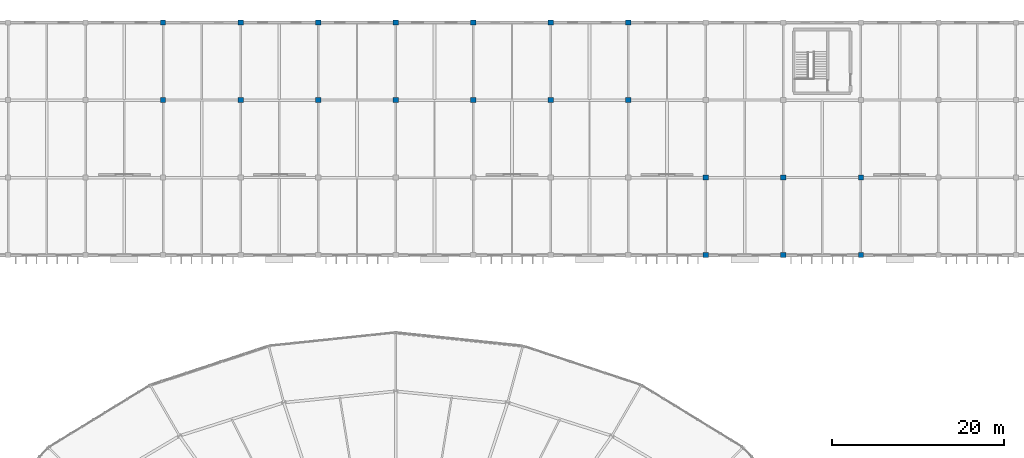
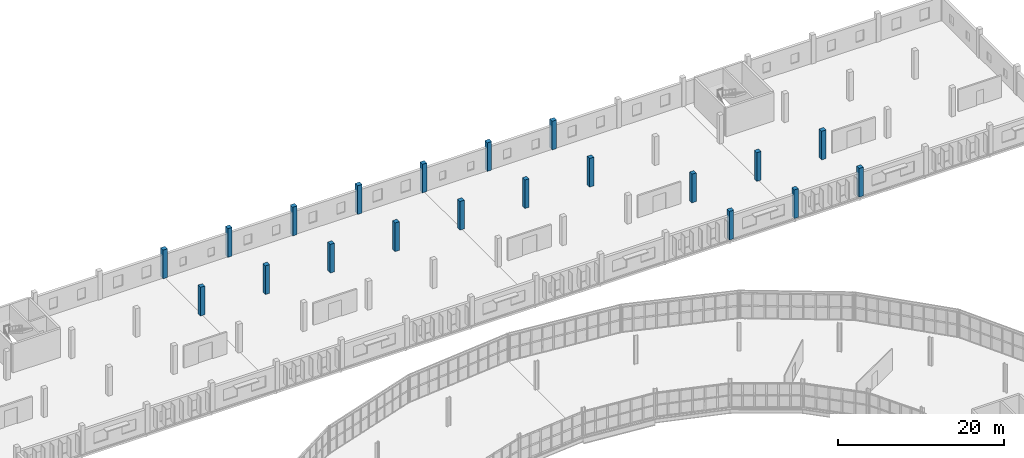
# One storey, part 32 of 161: 20 columns.
"""IFC4 building model written with IfcOpenShell, lengths in metres."""

from ifc_helpers import new_model, si_unit, direction, frame, origin, origin_2d, place, context, subcontext, project, spatial, rectangle, extrude, material, material_profile, profile_set, type_object, element, save


model = new_model("IFC4")

# Units and contexts
model_context = context("Model", 3, precision=1e-05, world=origin(), true_north=direction((0.0, 1.0)))
body_context = subcontext(model_context, "Body", "Model", "MODEL_VIEW")
ifc_project = project(units=[si_unit("LENGTHUNIT", "METRE"), si_unit("AREAUNIT", "SQUARE_METRE"), si_unit("VOLUMEUNIT", "CUBIC_METRE"), si_unit("PLANEANGLEUNIT", "RADIAN"), si_unit("MASSUNIT", "GRAM", prefix="KILO")], contexts=[model_context])

# Site, building, storey
site_placement = place(None, origin())
site = spatial("IfcSite", under=ifc_project, at=site_placement, CompositionType="ELEMENT")
building_placement = place(site_placement, origin())
building = spatial("IfcBuilding", under=site, at=building_placement, Name="Kildeholm Park Wholesale Market", CompositionType="ELEMENT")
storey_placement = place(building_placement, frame((0.0, 0.0, 5.39990234375)))
storey = spatial("IfcBuildingStorey", under=building, at=storey_placement, Name="L01", CompositionType="ELEMENT", Elevation=5.39990234375)

# Columns
ifc_material = material(Name="Concrete C40/50", Category="concrete")
ifc_material_profile = material_profile(ifc_material, rectangle(XDim=0.60009765625, YDim=0.60009765625, at=origin_2d()), Name="RC 600x600")
ifc_profile_set = profile_set([ifc_material_profile], Name="Concrete C40/50")
column_type = type_object("IfcColumnType", Name="Column C-R02 RC 600x600", PredefinedType="COLUMN", material=ifc_profile_set)
for number, where, z_axis, x_axis, name in (
    (1, (72.0, 162.0, 0.0), (0.0, 0.0, 1.0), (1.0, 0.0, 0.0), "Column V4-072-162 L01 COL-0503"),
    (2, (72.0, 171.0, 0.0), (0.0, 0.0, 1.0), (1.0, 0.0, 0.0), "Column V4-072-171 L01 COL-0506"),
    (3, (81.0, 162.0, 0.0), (0.0, 0.0, 1.0), (1.0, 0.0, 0.0), "Column V4-081-162 L01 COL-0514"),
    (4, (81.0, 171.0, 0.0), (0.0, 0.0, 1.0), (1.0, 0.0, 0.0), "Column V4-081-171 L01 COL-0517"),
    (5, (90.0, 162.0, 0.0), (0.0, 0.0, 1.0), (1.0, 0.0, 0.0), "Column V4-090-162 L01 COL-0525"),
    (6, (90.0, 171.0, 0.0), (0.0, 0.0, 1.0), (1.0, 0.0, 0.0), "Column V4-090-171 L01 COL-0528"),
    (7, (99.0, 162.0, 0.0), (0.0, 0.0, 1.0), (1.0, 0.0, 0.0), "Column V4-099-162 L01 COL-0536"),
    (8, (99.0, 171.0, 0.0), (0.0, 0.0, 1.0), (1.0, 0.0, 0.0), "Column V4-099-171 L01 COL-0539"),
    (9, (108.0, 162.0, 0.0), (0.0, 0.0, 1.0), (1.0, 0.0, 0.0), "Column V4-108-162 L01 COL-0547"),
    (10, (108.0, 171.0, 0.0), (0.0, 0.0, 1.0), (1.0, 0.0, 0.0), "Column V4-108-171 L01 COL-0550"),
    (11, (117.0, 162.0, 0.0), (0.0, 0.0, 1.0), (1.0, 0.0, 0.0), "Column V4-117-162 L01 COL-0558"),
    (12, (117.0, 171.0, 0.0), (0.0, 0.0, 1.0), (1.0, 0.0, 0.0), "Column V4-117-171 L01 COL-0561"),
    (13, (126.0, 162.0, 0.0), (0.0, 0.0, 1.0), (1.0, 0.0, 0.0), "Column V4-126-162 L01 COL-0569"),
    (14, (126.0, 171.0, 0.0), (0.0, 0.0, 1.0), (1.0, 0.0, 0.0), "Column V4-126-171 L01 COL-0572"),
    (15, (135.0, 144.0, 0.0), (0.0, 0.0, 1.0), (1.0, 0.0, 0.0), "Column V4-135-144 L01 COL-0575"),
    (16, (135.0, 153.0, 0.0), (0.0, 0.0, 1.0), (1.0, 0.0, 0.0), "Column V4-135-153 L01 COL-0577"),
    (17, (144.0, 144.0, 0.0), (0.0, 0.0, 1.0), (1.0, 0.0, 0.0), "Column V4-144-144 L01 COL-0586"),
    (18, (144.0, 153.0, 0.0), (0.0, 0.0, 1.0), (1.0, 0.0, 0.0), "Column V4-144-153 L01 COL-0588"),
    (19, (153.0, 144.0, 0.0), (0.0, 0.0, 1.0), (1.0, 0.0, 0.0), "Column V4-153-144 L01 COL-0597"),
    (20, (153.0, 153.0, 0.0), (0.0, 0.0, 1.0), (1.0, 0.0, 0.0), "Column V4-153-153 L01 COL-0599"),
):
    element("IfcColumn", number, at=place(storey_placement, frame(where, z_axis=z_axis, x_axis=x_axis)), inside=storey, type_object=column_type, Name=name, PredefinedType="COLUMN", context=body_context, shape_type="SweptSolid", body=[
        extrude(rectangle(XDim=0.60009765625, YDim=0.60009765625, at=origin_2d()), origin(), (0.0, 0.0, 1.0), 4.2001953125),
    ])

save(model, "model.ifc")
